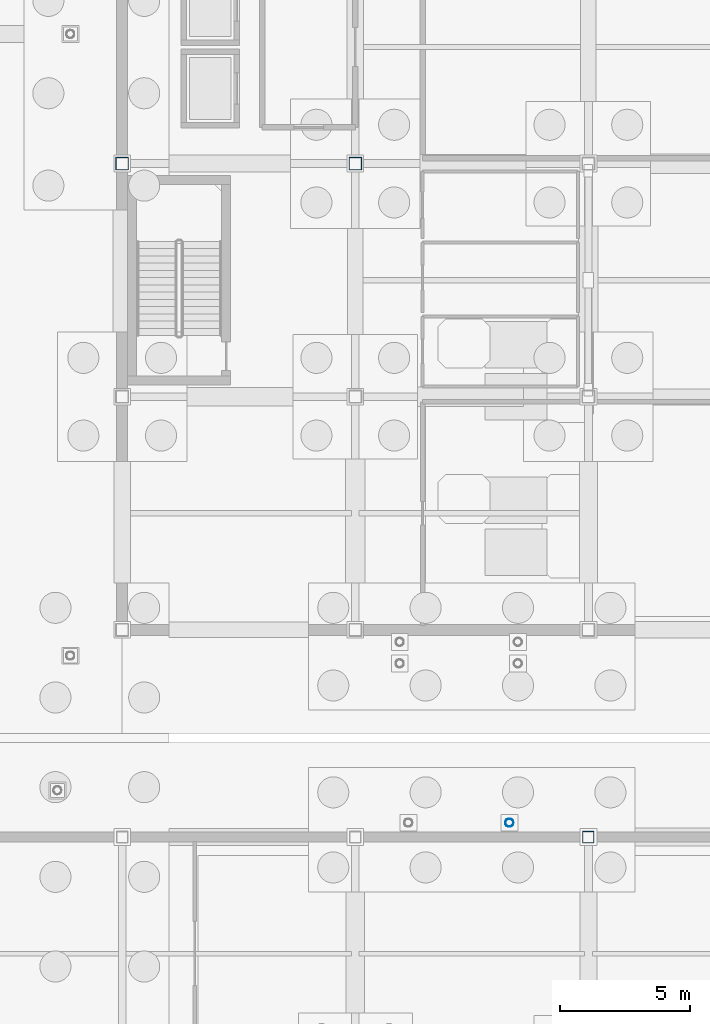
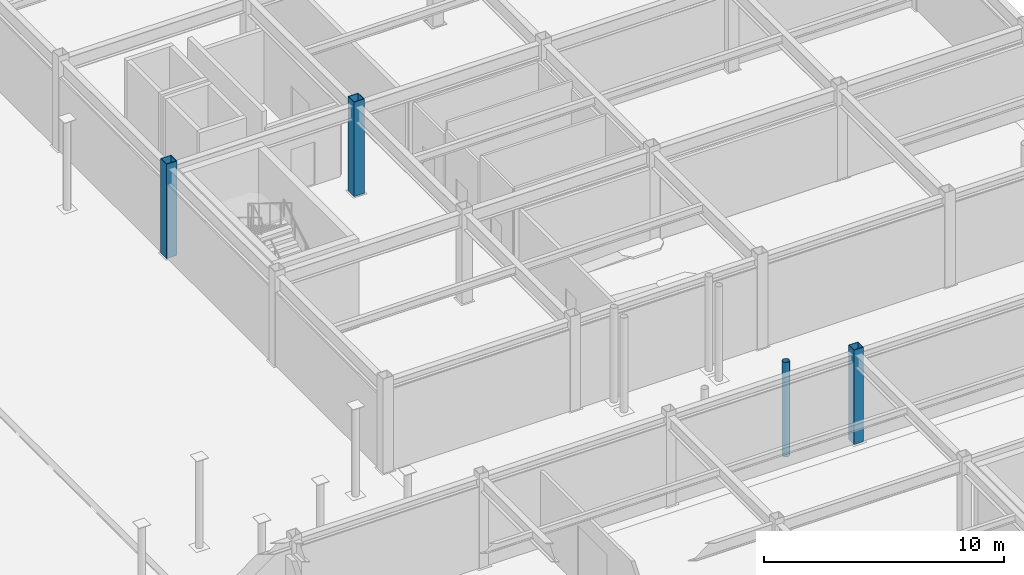
# One storey, part 36 of 74: 4 columns.
"""IFC4 building model written with IfcOpenShell, lengths in metres."""

from ifc_helpers import new_model, si_unit, direction, frame, origin, origin_2d, place, context, subcontext, project, spatial, hollow_rectangle, hollow_circle, extrude, material, material_profile, profile_set, type_object, element, save


model = new_model("IFC4")

# Units and contexts
model_context = context("Model", 3, precision=1e-05, world=origin(), true_north=direction((0.0, 1.0)))
body_context = subcontext(model_context, "Body", "Model", "MODEL_VIEW")
ifc_project = project(units=[si_unit("LENGTHUNIT", "METRE"), si_unit("AREAUNIT", "SQUARE_METRE"), si_unit("VOLUMEUNIT", "CUBIC_METRE"), si_unit("PLANEANGLEUNIT", "RADIAN"), si_unit("MASSUNIT", "GRAM", prefix="KILO")], contexts=[model_context])

# Site, building, storey
site_placement = place(None, origin())
site = spatial("IfcSite", under=ifc_project, at=site_placement, CompositionType="ELEMENT")
building_placement = place(site_placement, origin())
building = spatial("IfcBuilding", under=site, at=building_placement, Name="Suzunagisa Mobility Hub", CompositionType="ELEMENT")
storey_placement = place(building_placement, frame((0.0, 0.0, -4.800048828125)))
storey = spatial("IfcBuildingStorey", under=building, at=storey_placement, Name="B1", CompositionType="ELEMENT", Elevation=-4.800048828125)

# Columns
ifc_material = material(Name="Steel SN490B", Category="steel")
ifc_material_profile_1 = material_profile(ifc_material, hollow_circle(Radius=0.1591796875, WallThickness=0.01025390625, at=origin_2d()), Name="CHS-318.5x10.3")
ifc_profile_set_1 = profile_set([ifc_material_profile_1], Name="Steel SN490B")
column_type_1 = type_object("IfcColumnType", Name="Steel Column CL-09 CHS-318.5x10.3", PredefinedType="COLUMN", material=ifc_profile_set_1)
column_1_placement = place(storey_placement, frame((158.949951171875, 36.550048828125, 0.0), z_axis=(0.0, 0.0, 1.0), x_axis=(1.0, 0.0, 0.0)))
element("IfcColumn", 1, at=column_1_placement, inside=storey, type_object=column_type_1, Name="B1 Column 280", PredefinedType="COLUMN", context=body_context, shape_type="SweptSolid", body=[
    extrude(hollow_circle(Radius=0.1591796875, WallThickness=0.01025390625, at=origin_2d()), origin(), (0.0, 0.0, 1.0), 4.800048828125),
])
ifc_material_profile_2 = material_profile(ifc_material, hollow_rectangle(XDim=0.5, YDim=0.5, WallThickness=0.02490234375, at=origin_2d()), Name="BCR-500x500x25")
ifc_profile_set_2 = profile_set([ifc_material_profile_2], Name="Steel SN490B")
column_type_2 = type_object("IfcColumnType", Name="Steel Column CL-11 BCR-500x500x25", PredefinedType="COLUMN", material=ifc_profile_set_2)
for number, where, z_axis, x_axis, name in (
    (2, (144.0, 62.0, 0.0), (0.0, 0.0, 1.0), (1.0, 0.0, 0.0), "B1 Column 258"),
    (3, (153.0, 62.0, 0.0), (0.0, 0.0, 1.0), (1.0, 0.0, 0.0), "B1 Column 271"),
):
    element("IfcColumn", number, at=place(storey_placement, frame(where, z_axis=z_axis, x_axis=x_axis)), inside=storey, type_object=column_type_2, Name=name, PredefinedType="COLUMN", context=body_context, shape_type="SweptSolid", body=[
        extrude(hollow_rectangle(XDim=0.5, YDim=0.5, WallThickness=0.02490234375, at=origin_2d()), origin(), (0.0, 0.0, 1.0), 4.800048828125),
    ])
ifc_material_profile_3 = material_profile(ifc_material, hollow_rectangle(XDim=0.449951171875, YDim=0.449951171875, WallThickness=0.02197265625, at=origin_2d()), Name="BCR-450x450x22")
ifc_profile_set_3 = profile_set([ifc_material_profile_3], Name="Steel SN490B")
column_type_3 = type_object("IfcColumnType", Name="Steel Column CL-17 BCR-450x450x22", PredefinedType="COLUMN", material=ifc_profile_set_3)
column_2_placement = place(storey_placement, frame((162.0, 36.0, 0.0), z_axis=(0.0, 0.0, 1.0), x_axis=(1.0, 0.0, 0.0)))
element("IfcColumn", 4, at=column_2_placement, inside=storey, type_object=column_type_3, Name="B1 Column 287", PredefinedType="COLUMN", context=body_context, shape_type="SweptSolid", body=[
    extrude(hollow_rectangle(XDim=0.449951171875, YDim=0.449951171875, WallThickness=0.02197265625, at=origin_2d()), origin(), (0.0, 0.0, 1.0), 4.800048828125),
])

save(model, "model.ifc")
